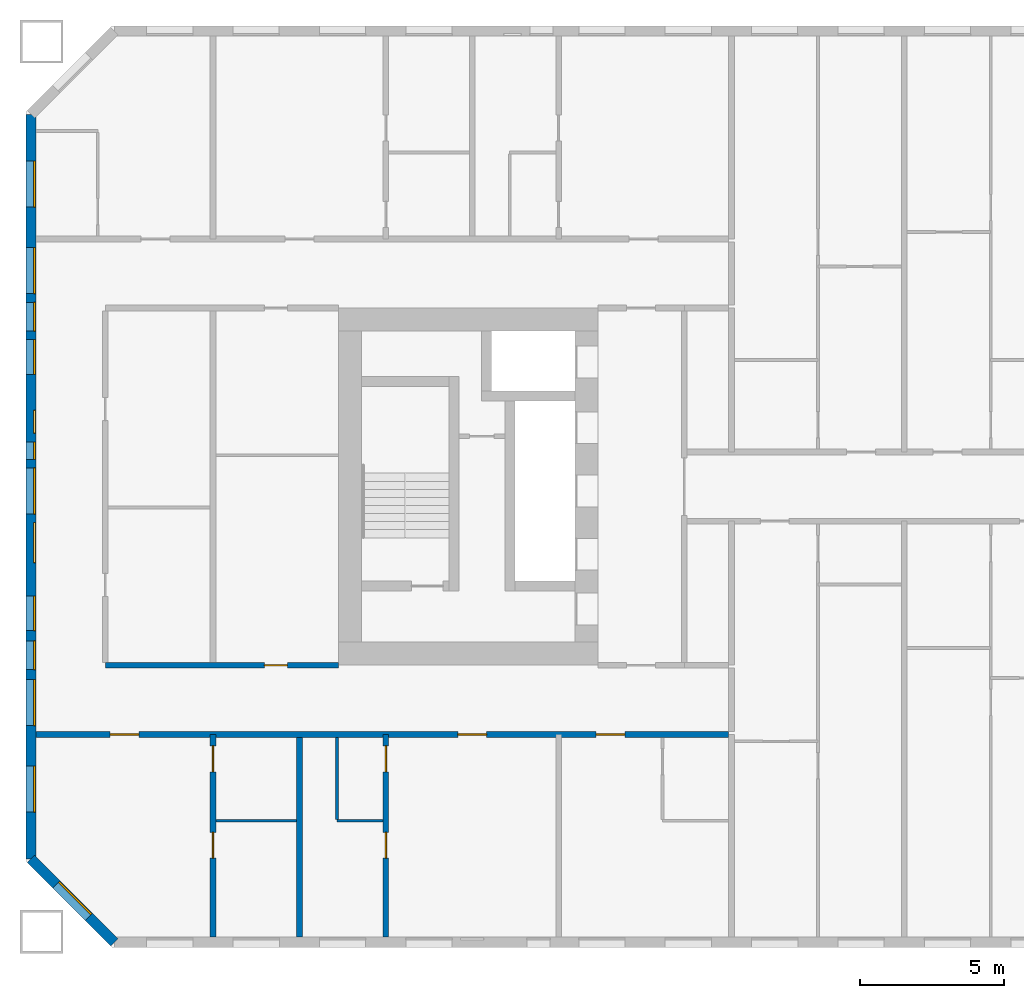
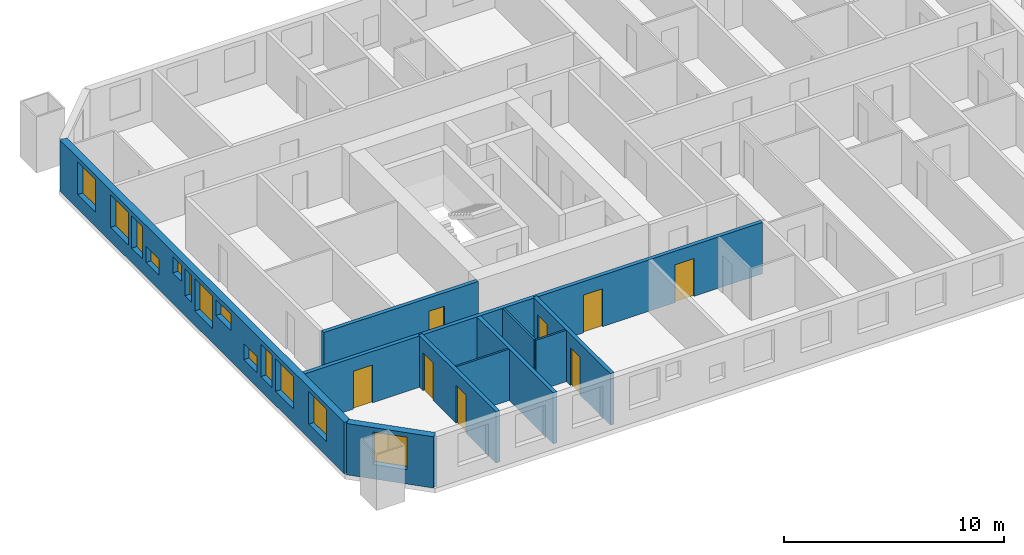
# One storey, part 2 of 17: 13 windows, 10 walls, 8 doors, 21 openings.
"""IFC4 building model written with IfcOpenShell, lengths in metres."""

import ifcopenshell
import ifcopenshell.guid

model = None  # the IFC model being written
_history = None  # IfcOwnerHistory: only IFC2X3 demands one
_inside = {}  # id of a spatial element -> (the spatial element, [elements in it])
_under = {}  # id of a project, library or spatial element -> (it, [spatial elements below it])
_declared = {}  # id of a project -> (the project, [libraries it declares])
_typed = {}  # id of a type object -> (the type object, [elements of that type])
_made_of = {}  # id of a material, layer set ... -> (it, [elements and type objects made of it])


def new_model(schema):
    """Start an empty IFC model of exactly this schema.

    Asked for "IFC4X3", IfcOpenShell would pick the latest addendum, in which some entities
    have other attributes; the version numbers below select the first issue.
    IFC2X3 requires an IfcOwnerHistory on every rooted entity: one is made here for all.
    """
    global model, _history
    if schema == "IFC4X3":
        model = ifcopenshell.file(schema_version=(4, 3, 0, 0))
    else:
        model = ifcopenshell.file(schema=schema)
    _inside.clear()
    _under.clear()
    _declared.clear()
    _typed.clear()
    _made_of.clear()
    _history = None
    if model.schema == "IFC2X3":
        org = make("IfcOrganization", Name="unknown")
        user = make(
            "IfcPersonAndOrganization",
            ThePerson=make("IfcPerson", FamilyName="unknown"),
            TheOrganization=org,
        )
        app = make(
            "IfcApplication",
            ApplicationDeveloper=org,
            Version="unknown",
            ApplicationFullName="unknown",
            ApplicationIdentifier="unknown",
        )
        _history = make(
            "IfcOwnerHistory",
            OwningUser=user,
            OwningApplication=app,
            ChangeAction="ADDED",
            CreationDate=0,
        )
    return model


def make(cls, **values):
    """One entity of the class cls with the attributes given. An attribute that is None is left unset."""
    return model.create_entity(
        cls, **{name: value for name, value in values.items() if value is not None}
    )


def rooted(cls, **values):
    """An entity with a GlobalId (a new one), such as an element, a storey or a relation."""
    return make(cls, GlobalId=ifcopenshell.guid.new(), OwnerHistory=_history, **values)


def si_unit(unit_type, name, prefix=None):
    """IfcSIUnit, for example si_unit("LENGTHUNIT", "METRE", prefix="MILLI")."""
    return make("IfcSIUnit", UnitType=unit_type, Prefix=prefix, Name=name)


def assignment(units):
    """IfcUnitAssignment: the units of a project."""
    return None if units is None else make("IfcUnitAssignment", Units=units)


def point(xyz):
    """IfcCartesianPoint."""
    return None if xyz is None else make("IfcCartesianPoint", Coordinates=xyz)


def direction(xyz):
    """IfcDirection."""
    return None if xyz is None else make("IfcDirection", DirectionRatios=xyz)


def frame(location, z_axis=None, x_axis=None):
    """IfcAxis2Placement3D, a coordinate frame: its origin and axes. An axis left out is left unset."""
    return make(
        "IfcAxis2Placement3D",
        Location=point(location),
        Axis=direction(z_axis),
        RefDirection=direction(x_axis),
    )


def frame_2d(location, x_axis=None):
    """IfcAxis2Placement2D, a coordinate frame in the plane: its origin and x axis."""
    return make(
        "IfcAxis2Placement2D", Location=point(location), RefDirection=direction(x_axis)
    )


def origin():
    """The frame at (0, 0, 0) with its axes left unset."""
    return frame((0.0, 0.0, 0.0))


def place(relative_to, where):
    """IfcLocalPlacement: puts the frame where relative to a parent placement (None: the world)."""
    return make(
        "IfcLocalPlacement", PlacementRelTo=relative_to, RelativePlacement=where
    )


def context(
    kind, dimensions, precision=None, world=None, true_north=None, identifier=None
):
    """IfcGeometricRepresentationContext, for example the 3D "Model" context."""
    return make(
        "IfcGeometricRepresentationContext",
        ContextIdentifier=identifier,
        ContextType=kind,
        CoordinateSpaceDimension=dimensions,
        Precision=precision,
        WorldCoordinateSystem=world,
        TrueNorth=true_north,
    )


def subcontext(parent, identifier, kind, view, scale=None):
    """IfcGeometricRepresentationSubContext, for example "Body" below "Model"."""
    return make(
        "IfcGeometricRepresentationSubContext",
        ContextIdentifier=identifier,
        ContextType=kind,
        ParentContext=parent,
        TargetScale=scale,
        TargetView=view,
    )


def project(units=None, contexts=None):
    """IfcProject with its units and contexts."""
    return rooted(
        "IfcProject",
        Name="project",
        RepresentationContexts=contexts,
        UnitsInContext=assignment(units),
    )


def spatial(cls, under=None, at=None, **own):
    """A site, building, storey or space (cls), placed at a placement, below another one or the project."""
    s = rooted(cls, ObjectPlacement=at, **own)
    if under is not None:
        _under.setdefault(under.id(), (under, []))[1].append(s)
    return s


def profile(cls, at=None, kind="AREA", **sizes):
    """A parametric profile (cls). Its sizes go by their IFC names, for example OverallWidth=200.0."""
    return make(cls, ProfileType=kind, Position=at, **sizes)


def rectangle(**sizes):
    """IfcRectangleProfileDef."""
    return profile("IfcRectangleProfileDef", **sizes)


def extrude(swept, where, along, depth):
    """IfcExtrudedAreaSolid: the profile swept, set in the frame where, extruded along a direction by depth."""
    return make(
        "IfcExtrudedAreaSolid",
        SweptArea=swept,
        Position=where,
        ExtrudedDirection=direction(along),
        Depth=depth,
    )


def shape(context_of_items, identifier, shape_type, items):
    """IfcShapeRepresentation: the items that make up one representation, for example the "Body"."""
    return make(
        "IfcShapeRepresentation",
        ContextOfItems=context_of_items,
        RepresentationIdentifier=identifier,
        RepresentationType=shape_type,
        Items=items,
    )


def material(Name=None, Category=None):
    """IfcMaterial."""
    return make("IfcMaterial", Name=Name, Category=Category)


def layer(
    of_material, thickness, ventilated=None, Name=None, Category=None, Priority=None
):
    """IfcMaterialLayer: one layer of a wall or slab, of a material (None: an air gap)."""
    return make(
        "IfcMaterialLayer",
        Material=of_material,
        LayerThickness=thickness,
        IsVentilated=ventilated,
        Name=Name,
        Category=Category,
        Priority=Priority,
    )


def layer_set(layers, Name=None):
    """IfcMaterialLayerSet."""
    return make("IfcMaterialLayerSet", MaterialLayers=layers, LayerSetName=Name)


def made_of(thing, what):
    """Note that an element or type object is made of a material, layer set ...; save() writes the relation."""
    if what is not None:
        _made_of.setdefault(what.id(), (what, []))[1].append(thing)
    return thing


def type_object(cls, material=None, **own):
    """A type object (cls), such as IfcWallType, which elements share."""
    return made_of(rooted(cls, **own), material)


def element(
    cls,
    number,
    at=None,
    inside=None,
    cuts=None,
    type_object=None,
    material=None,
    context=None,
    identifier="Body",
    shape_type=None,
    held_by="IfcProductDefinitionShape",
    body=None,
    shapes=None,
    **own,
):
    """One element of the class cls, such as IfcWall. Its Tag is "e" and its number.

    at: its placement. inside: the storey or other place that contains it. cuts: it is an
    opening in that element (IfcRelVoidsElement). A single representation is given by context,
    identifier, shape_type and body (its items); several are given by shapes. held_by: the class
    of the entity that holds the representations. save() writes the other relations.
    """
    e = rooted(cls, Tag="e%d" % number, ObjectPlacement=at, **own)
    if body is not None:
        shapes = [shape(context, identifier, shape_type, body)]
    if shapes is not None:
        e.Representation = make(held_by, Representations=shapes)
    if inside is not None:
        _inside.setdefault(inside.id(), (inside, []))[1].append(e)
    if cuts is not None:
        rooted(
            "IfcRelVoidsElement", RelatingBuildingElement=cuts, RelatedOpeningElement=e
        )
    if type_object is not None:
        _typed.setdefault(type_object.id(), (type_object, []))[1].append(e)
    return made_of(e, material)


def fill(opening, filler):
    """IfcRelFillsElement: the door or window that sits in an opening."""
    return rooted(
        "IfcRelFillsElement",
        RelatingOpeningElement=opening,
        RelatedBuildingElement=filler,
    )


def aggregate(whole, parts):
    """IfcRelAggregates: a whole, such as a stair, and the parts it consists of."""
    return rooted("IfcRelAggregates", RelatingObject=whole, RelatedObjects=parts)


def save(model, path):
    """Write the relations noted so far, then the file.

    IfcRelAggregates (storeys below a building ...), IfcRelContainedInSpatialStructure (elements
    in a storey), IfcRelDefinesByType, IfcRelAssociatesMaterial and IfcRelDeclares: one each for
    every whole, place, type object, material and project.
    """
    for whole, parts in _under.values():
        aggregate(whole, parts)
    for where, things in _inside.values():
        rooted(
            "IfcRelContainedInSpatialStructure",
            RelatedElements=things,
            RelatingStructure=where,
        )
    for kind, things in _typed.values():
        rooted("IfcRelDefinesByType", RelatedObjects=things, RelatingType=kind)
    for what, things in _made_of.values():
        rooted("IfcRelAssociatesMaterial", RelatedObjects=things, RelatingMaterial=what)
    for by, libraries in _declared.values():
        rooted("IfcRelDeclares", RelatingContext=by, RelatedDefinitions=libraries)
    model.write(path)


model = new_model("IFC4")

# Units and contexts
model_context = context("Model", 3, precision=1e-05, world=origin(), true_north=direction((0.0, 1.0)))
body_context = subcontext(model_context, "Body", "Model", "MODEL_VIEW")
ifc_project = project(units=[si_unit("LENGTHUNIT", "METRE"), si_unit("AREAUNIT", "SQUARE_METRE"), si_unit("VOLUMEUNIT", "CUBIC_METRE"), si_unit("PLANEANGLEUNIT", "RADIAN"), si_unit("MASSUNIT", "GRAM", prefix="KILO")], contexts=[model_context])

# Site, building, storey
site_placement = place(None, origin())
site = spatial("IfcSite", under=ifc_project, at=site_placement, CompositionType="ELEMENT")
building_placement = place(site_placement, origin())
building = spatial("IfcBuilding", under=site, at=building_placement, Name="Tuart Gate Housing", CompositionType="ELEMENT")
storey_placement = place(building_placement, frame((0.0, 0.0, 53.60009765625)))
storey = spatial("IfcBuildingStorey", under=building, at=storey_placement, Name="L14", CompositionType="ELEMENT", Elevation=53.60009765625)

# Wall, opening, window
ifc_material_1 = material(Name="Brick", Category="masonry")
ifc_layer_1 = layer(ifc_material_1, 0.360107421875)
ifc_layer_set_1 = layer_set([ifc_layer_1], Name="Brick pier and spandrel wall 360")
wall_type_1 = type_object("IfcWallType", Name="Brick pier and spandrel wall 360", PredefinedType="STANDARD", material=ifc_layer_set_1)
wall_1_placement = place(storey_placement, frame((21.679931640625, 57.07470703125, 0.0), z_axis=(0.0, 0.0, 1.0), x_axis=(0.707106781187, -0.707106781187, 0.0)))
wall_1 = element("IfcWall", 1, at=wall_1_placement, inside=storey, type_object=wall_type_1, Name="External wall A-SW L14", PredefinedType="STANDARD", context=body_context, shape_type="SweptSolid", body=[
    extrude(rectangle(XDim=4.09375, YDim=0.360107421875, at=frame_2d((2.046875, 0.0))), origin(), (0.0, 0.0, 1.0), 2.849853515625),
])
opening_1_placement = place(wall_1_placement, frame((1.2470703125, 0.0, 0.800048828125)))
opening_1 = element("IfcOpeningElement", 2, at=opening_1_placement, cuts=wall_1, Name="Opening W1", PredefinedType="OPENING", context=body_context, shape_type="SweptSolid", body=[
    extrude(rectangle(XDim=1.60009765625, YDim=1.800048828125, at=frame_2d((0.800048828125, 0.89990234375))), frame((0.0, 0.18994140625, 0.0), z_axis=(0.0, -1.0, 0.0), x_axis=(1.0, 0.0, 0.0)), (0.0, 0.0, 1.0), 0.380126953125),
])
ifc_material_2 = material(Name="Aluminium frame with clear glass", Category="aluminium")
window_type_1 = type_object("IfcWindowType", Name="Punched window 1600 x 1800", PartitioningType="SINGLE_PANEL", PredefinedType="WINDOW", material=ifc_material_2)
window_1_placement = place(opening_1_placement, origin())
window_1 = element("IfcWindow", 3, at=window_1_placement, inside=storey, type_object=window_type_1, Name="Window W1", OverallHeight=1.800048828125, OverallWidth=1.60009765625, PartitioningType="SINGLE_PANEL", PredefinedType="WINDOW", context=body_context, shape_type="SweptSolid", body=[
    extrude(rectangle(XDim=1.60009765625, YDim=1.800048828125, at=frame_2d((0.800048828125, 0.89990234375))), frame((0.0, 0.150146484375, 0.0), z_axis=(0.0, -1.0, 0.0), x_axis=(1.0, 0.0, 0.0)), (0.0, 0.0, 1.0), 0.06005859375),
])
fill(opening_1, window_1)

# Wall, openings, windows
wall_2_placement = place(storey_placement, frame((21.679931640625, 82.92529296875, 0.0), z_axis=(0.0, 0.0, 1.0), x_axis=(0.0, -1.0, 0.0)))
wall_2 = element("IfcWall", 4, at=wall_2_placement, inside=storey, type_object=wall_type_1, Name="External wall A-W L14", PredefinedType="STANDARD", context=body_context, shape_type="SweptSolid", body=[
    extrude(rectangle(XDim=25.850830078125, YDim=0.360107421875, at=frame_2d((12.92529296875, 0.0))), origin(), (0.0, 0.0, 1.0), 2.849853515625),
])
opening_2_placement = place(wall_2_placement, frame((1.62548828125, 0.0, 0.800048828125)))
opening_2 = element("IfcOpeningElement", 5, at=opening_2_placement, cuts=wall_2, Name="Opening W1", PredefinedType="OPENING", context=body_context, shape_type="SweptSolid", body=[
    extrude(rectangle(XDim=1.60009765625, YDim=1.800048828125, at=frame_2d((0.800048828125, 0.89990234375))), frame((0.0, 0.18994140625, 0.0), z_axis=(0.0, -1.0, 0.0), x_axis=(1.0, 0.0, 0.0)), (0.0, 0.0, 1.0), 0.380126953125),
])
opening_3_placement = place(wall_2_placement, frame((4.62548828125, 0.0, 0.800048828125)))
opening_3 = element("IfcOpeningElement", 6, at=opening_3_placement, cuts=wall_2, Name="Opening W1", PredefinedType="OPENING", context=body_context, shape_type="SweptSolid", body=[
    extrude(rectangle(XDim=1.60009765625, YDim=1.800048828125, at=frame_2d((0.800048828125, 0.89990234375))), frame((0.0, 0.18994140625, 0.0), z_axis=(0.0, -1.0, 0.0), x_axis=(1.0, 0.0, 0.0)), (0.0, 0.0, 1.0), 0.380126953125),
])
opening_4_placement = place(wall_2_placement, frame((6.525390625, 0.0, 0.800048828125)))
opening_4 = element("IfcOpeningElement", 7, at=opening_4_placement, cuts=wall_2, Name="Opening W1C", PredefinedType="OPENING", context=body_context, shape_type="SweptSolid", body=[
    extrude(rectangle(XDim=1.0, YDim=1.800048828125, at=frame_2d((0.5, 0.89990234375))), frame((0.0, 0.18994140625, 0.0), z_axis=(0.0, -1.0, 0.0), x_axis=(1.0, 0.0, 0.0)), (0.0, 0.0, 1.0), 0.380126953125),
])
opening_5_placement = place(wall_2_placement, frame((7.825439453125, 0.0, 0.800048828125)))
opening_5 = element("IfcOpeningElement", 8, at=opening_5_placement, cuts=wall_2, Name="Opening W1T", PredefinedType="OPENING", context=body_context, shape_type="SweptSolid", body=[
    extrude(rectangle(XDim=1.199951171875, YDim=0.89990234375, at=frame_2d((0.60009765625, 0.449951171875))), frame((0.0, 0.18994140625, 0.0), z_axis=(0.0, -1.0, 0.0), x_axis=(1.0, 0.0, 0.0)), (0.0, 0.0, 1.0), 0.380126953125),
])
opening_6_placement = place(wall_2_placement, frame((10.275390625, 0.0, 1.699951171875)))
opening_6 = element("IfcOpeningElement", 9, at=opening_6_placement, cuts=wall_2, Name="Opening W1V", PredefinedType="OPENING", context=body_context, shape_type="SweptSolid", body=[
    extrude(rectangle(XDim=0.800048828125, YDim=0.89990234375, at=frame_2d((0.39990234375, 0.449951171875))), frame((0.0, 0.18994140625, 0.0), z_axis=(0.0, -1.0, 0.0), x_axis=(1.0, 0.0, 0.0)), (0.0, 0.0, 1.0), 0.380126953125),
])
opening_7_placement = place(wall_2_placement, frame((11.37548828125, 0.0, 1.10009765625)))
opening_7 = element("IfcOpeningElement", 10, at=opening_7_placement, cuts=wall_2, Name="Opening W1K", PredefinedType="OPENING", context=body_context, shape_type="SweptSolid", body=[
    extrude(rectangle(XDim=0.60009765625, YDim=1.5, at=frame_2d((0.300048828125, 0.75))), frame((0.0, 0.18994140625, 0.0), z_axis=(0.0, -1.0, 0.0), x_axis=(1.0, 0.0, 0.0)), (0.0, 0.0, 1.0), 0.380126953125),
])
opening_8_placement = place(wall_2_placement, frame((19.62548828125, 0.0, 0.800048828125)))
opening_8 = element("IfcOpeningElement", 11, at=opening_8_placement, cuts=wall_2, Name="Opening W1", PredefinedType="OPENING", context=body_context, shape_type="SweptSolid", body=[
    extrude(rectangle(XDim=1.60009765625, YDim=1.800048828125, at=frame_2d((0.800048828125, 0.89990234375))), frame((0.0, 0.18994140625, 0.0), z_axis=(0.0, -1.0, 0.0), x_axis=(1.0, 0.0, 0.0)), (0.0, 0.0, 1.0), 0.380126953125),
])
opening_9_placement = place(wall_2_placement, frame((22.62548828125, 0.0, 0.800048828125)))
opening_9 = element("IfcOpeningElement", 12, at=opening_9_placement, cuts=wall_2, Name="Opening W1", PredefinedType="OPENING", context=body_context, shape_type="SweptSolid", body=[
    extrude(rectangle(XDim=1.60009765625, YDim=1.800048828125, at=frame_2d((0.800048828125, 0.89990234375))), frame((0.0, 0.18994140625, 0.0), z_axis=(0.0, -1.0, 0.0), x_axis=(1.0, 0.0, 0.0)), (0.0, 0.0, 1.0), 0.380126953125),
])
opening_10_placement = place(wall_2_placement, frame((12.275390625, 0.0, 0.800048828125)))
opening_10 = element("IfcOpeningElement", 13, at=opening_10_placement, cuts=wall_2, Name="Opening W1", PredefinedType="OPENING", context=body_context, shape_type="SweptSolid", body=[
    extrude(rectangle(XDim=1.60009765625, YDim=1.800048828125, at=frame_2d((0.800048828125, 0.89990234375))), frame((0.0, 0.18994140625, 0.0), z_axis=(0.0, -1.0, 0.0), x_axis=(1.0, 0.0, 0.0)), (0.0, 0.0, 1.0), 0.380126953125),
])
opening_11_placement = place(wall_2_placement, frame((14.17529296875, 0.0, 1.699951171875)))
opening_11 = element("IfcOpeningElement", 14, at=opening_11_placement, cuts=wall_2, Name="Opening W1S", PredefinedType="OPENING", context=body_context, shape_type="SweptSolid", body=[
    extrude(rectangle(XDim=1.39990234375, YDim=0.89990234375, at=frame_2d((0.699951171875, 0.449951171875))), frame((0.0, 0.18994140625, 0.0), z_axis=(0.0, -1.0, 0.0), x_axis=(1.0, 0.0, 0.0)), (0.0, 0.0, 1.0), 0.380126953125),
])
opening_12_placement = place(wall_2_placement, frame((16.725341796875, 0.0, 0.800048828125)))
opening_12 = element("IfcOpeningElement", 15, at=opening_12_placement, cuts=wall_2, Name="Opening W1T", PredefinedType="OPENING", context=body_context, shape_type="SweptSolid", body=[
    extrude(rectangle(XDim=1.199951171875, YDim=0.89990234375, at=frame_2d((0.60009765625, 0.449951171875))), frame((0.0, 0.18994140625, 0.0), z_axis=(0.0, -1.0, 0.0), x_axis=(1.0, 0.0, 0.0)), (0.0, 0.0, 1.0), 0.380126953125),
])
opening_13_placement = place(wall_2_placement, frame((18.275390625, 0.0, 0.800048828125)))
opening_13 = element("IfcOpeningElement", 16, at=opening_13_placement, cuts=wall_2, Name="Opening W1C", PredefinedType="OPENING", context=body_context, shape_type="SweptSolid", body=[
    extrude(rectangle(XDim=1.0, YDim=1.800048828125, at=frame_2d((0.5, 0.89990234375))), frame((0.0, 0.18994140625, 0.0), z_axis=(0.0, -1.0, 0.0), x_axis=(1.0, 0.0, 0.0)), (0.0, 0.0, 1.0), 0.380126953125),
])
ifc_material_3 = material(Name="Aluminium frame with clear glass", Category="aluminium")
window_type_2 = type_object("IfcWindowType", Name="Punched window 1000 x 1800", PartitioningType="SINGLE_PANEL", PredefinedType="WINDOW", material=ifc_material_3)
window_2_placement = place(opening_4_placement, origin())
window_2 = element("IfcWindow", 17, at=window_2_placement, inside=storey, type_object=window_type_2, Name="Window W1C", OverallHeight=1.800048828125, OverallWidth=1.0, PartitioningType="SINGLE_PANEL", PredefinedType="WINDOW", context=body_context, shape_type="SweptSolid", body=[
    extrude(rectangle(XDim=1.0, YDim=1.800048828125, at=frame_2d((0.5, 0.89990234375))), frame((0.0, 0.150146484375, 0.0), z_axis=(0.0, -1.0, 0.0), x_axis=(1.0, 0.0, 0.0)), (0.0, 0.0, 1.0), 0.06005859375),
])
fill(opening_4, window_2)
window_3_placement = place(opening_13_placement, origin())
window_3 = element("IfcWindow", 18, at=window_3_placement, inside=storey, type_object=window_type_2, Name="Window W1C", OverallHeight=1.800048828125, OverallWidth=1.0, PartitioningType="SINGLE_PANEL", PredefinedType="WINDOW", context=body_context, shape_type="SweptSolid", body=[
    extrude(rectangle(XDim=1.0, YDim=1.800048828125, at=frame_2d((0.5, 0.89990234375))), frame((0.0, 0.150146484375, 0.0), z_axis=(0.0, -1.0, 0.0), x_axis=(1.0, 0.0, 0.0)), (0.0, 0.0, 1.0), 0.06005859375),
])
fill(opening_13, window_3)
ifc_material_4 = material(Name="Aluminium frame with clear glass", Category="aluminium")
window_type_3 = type_object("IfcWindowType", Name="Punched window 1200 x 900", PartitioningType="SINGLE_PANEL", PredefinedType="WINDOW", material=ifc_material_4)
window_4_placement = place(opening_5_placement, origin())
window_4 = element("IfcWindow", 19, at=window_4_placement, inside=storey, type_object=window_type_3, Name="Window W1T", OverallHeight=0.89990234375, OverallWidth=1.199951171875, PartitioningType="SINGLE_PANEL", PredefinedType="WINDOW", context=body_context, shape_type="SweptSolid", body=[
    extrude(rectangle(XDim=1.199951171875, YDim=0.89990234375, at=frame_2d((0.60009765625, 0.449951171875))), frame((0.0, 0.150146484375, 0.0), z_axis=(0.0, -1.0, 0.0), x_axis=(1.0, 0.0, 0.0)), (0.0, 0.0, 1.0), 0.06005859375),
])
fill(opening_5, window_4)
window_5_placement = place(opening_12_placement, origin())
window_5 = element("IfcWindow", 20, at=window_5_placement, inside=storey, type_object=window_type_3, Name="Window W1T", OverallHeight=0.89990234375, OverallWidth=1.199951171875, PartitioningType="SINGLE_PANEL", PredefinedType="WINDOW", context=body_context, shape_type="SweptSolid", body=[
    extrude(rectangle(XDim=1.199951171875, YDim=0.89990234375, at=frame_2d((0.60009765625, 0.449951171875))), frame((0.0, 0.150146484375, 0.0), z_axis=(0.0, -1.0, 0.0), x_axis=(1.0, 0.0, 0.0)), (0.0, 0.0, 1.0), 0.06005859375),
])
fill(opening_12, window_5)
ifc_material_5 = material(Name="Aluminium frame with clear glass", Category="aluminium")
window_type_4 = type_object("IfcWindowType", Name="Punched window 1400 x 900", PartitioningType="SINGLE_PANEL", PredefinedType="WINDOW", material=ifc_material_5)
window_6_placement = place(opening_11_placement, origin())
window_6 = element("IfcWindow", 21, at=window_6_placement, inside=storey, type_object=window_type_4, Name="Window W1S", OverallHeight=0.89990234375, OverallWidth=1.39990234375, PartitioningType="SINGLE_PANEL", PredefinedType="WINDOW", context=body_context, shape_type="SweptSolid", body=[
    extrude(rectangle(XDim=1.39990234375, YDim=0.89990234375, at=frame_2d((0.699951171875, 0.449951171875))), frame((0.0, 0.150146484375, 0.0), z_axis=(0.0, -1.0, 0.0), x_axis=(1.0, 0.0, 0.0)), (0.0, 0.0, 1.0), 0.06005859375),
])
fill(opening_11, window_6)
window_7_placement = place(opening_2_placement, origin())
window_7 = element("IfcWindow", 22, at=window_7_placement, inside=storey, type_object=window_type_1, Name="Window W1", OverallHeight=1.800048828125, OverallWidth=1.60009765625, PartitioningType="SINGLE_PANEL", PredefinedType="WINDOW", context=body_context, shape_type="SweptSolid", body=[
    extrude(rectangle(XDim=1.60009765625, YDim=1.800048828125, at=frame_2d((0.800048828125, 0.89990234375))), frame((0.0, 0.150146484375, 0.0), z_axis=(0.0, -1.0, 0.0), x_axis=(1.0, 0.0, 0.0)), (0.0, 0.0, 1.0), 0.06005859375),
])
fill(opening_2, window_7)
window_8_placement = place(opening_3_placement, origin())
window_8 = element("IfcWindow", 23, at=window_8_placement, inside=storey, type_object=window_type_1, Name="Window W1", OverallHeight=1.800048828125, OverallWidth=1.60009765625, PartitioningType="SINGLE_PANEL", PredefinedType="WINDOW", context=body_context, shape_type="SweptSolid", body=[
    extrude(rectangle(XDim=1.60009765625, YDim=1.800048828125, at=frame_2d((0.800048828125, 0.89990234375))), frame((0.0, 0.150146484375, 0.0), z_axis=(0.0, -1.0, 0.0), x_axis=(1.0, 0.0, 0.0)), (0.0, 0.0, 1.0), 0.06005859375),
])
fill(opening_3, window_8)
window_9_placement = place(opening_8_placement, origin())
window_9 = element("IfcWindow", 24, at=window_9_placement, inside=storey, type_object=window_type_1, Name="Window W1", OverallHeight=1.800048828125, OverallWidth=1.60009765625, PartitioningType="SINGLE_PANEL", PredefinedType="WINDOW", context=body_context, shape_type="SweptSolid", body=[
    extrude(rectangle(XDim=1.60009765625, YDim=1.800048828125, at=frame_2d((0.800048828125, 0.89990234375))), frame((0.0, 0.150146484375, 0.0), z_axis=(0.0, -1.0, 0.0), x_axis=(1.0, 0.0, 0.0)), (0.0, 0.0, 1.0), 0.06005859375),
])
fill(opening_8, window_9)
window_10_placement = place(opening_9_placement, origin())
window_10 = element("IfcWindow", 25, at=window_10_placement, inside=storey, type_object=window_type_1, Name="Window W1", OverallHeight=1.800048828125, OverallWidth=1.60009765625, PartitioningType="SINGLE_PANEL", PredefinedType="WINDOW", context=body_context, shape_type="SweptSolid", body=[
    extrude(rectangle(XDim=1.60009765625, YDim=1.800048828125, at=frame_2d((0.800048828125, 0.89990234375))), frame((0.0, 0.150146484375, 0.0), z_axis=(0.0, -1.0, 0.0), x_axis=(1.0, 0.0, 0.0)), (0.0, 0.0, 1.0), 0.06005859375),
])
fill(opening_9, window_10)
window_11_placement = place(opening_10_placement, origin())
window_11 = element("IfcWindow", 26, at=window_11_placement, inside=storey, type_object=window_type_1, Name="Window W1", OverallHeight=1.800048828125, OverallWidth=1.60009765625, PartitioningType="SINGLE_PANEL", PredefinedType="WINDOW", context=body_context, shape_type="SweptSolid", body=[
    extrude(rectangle(XDim=1.60009765625, YDim=1.800048828125, at=frame_2d((0.800048828125, 0.89990234375))), frame((0.0, 0.150146484375, 0.0), z_axis=(0.0, -1.0, 0.0), x_axis=(1.0, 0.0, 0.0)), (0.0, 0.0, 1.0), 0.06005859375),
])
fill(opening_10, window_11)
ifc_material_6 = material(Name="Aluminium frame with clear glass", Category="aluminium")
window_type_5 = type_object("IfcWindowType", Name="Punched window 600 x 1500", PartitioningType="SINGLE_PANEL", PredefinedType="WINDOW", material=ifc_material_6)
window_12_placement = place(opening_7_placement, origin())
window_12 = element("IfcWindow", 27, at=window_12_placement, inside=storey, type_object=window_type_5, Name="Window W1K", OverallHeight=1.5, OverallWidth=0.60009765625, PartitioningType="SINGLE_PANEL", PredefinedType="WINDOW", context=body_context, shape_type="SweptSolid", body=[
    extrude(rectangle(XDim=0.60009765625, YDim=1.5, at=frame_2d((0.300048828125, 0.75))), frame((0.0, 0.150146484375, 0.0), z_axis=(0.0, -1.0, 0.0), x_axis=(1.0, 0.0, 0.0)), (0.0, 0.0, 1.0), 0.06005859375),
])
fill(opening_7, window_12)
ifc_material_7 = material(Name="Aluminium frame with clear glass", Category="aluminium")
window_type_6 = type_object("IfcWindowType", Name="Punched window 800 x 900", PartitioningType="SINGLE_PANEL", PredefinedType="WINDOW", material=ifc_material_7)
window_13_placement = place(opening_6_placement, origin())
window_13 = element("IfcWindow", 28, at=window_13_placement, inside=storey, type_object=window_type_6, Name="Window W1V", OverallHeight=0.89990234375, OverallWidth=0.800048828125, PartitioningType="SINGLE_PANEL", PredefinedType="WINDOW", context=body_context, shape_type="SweptSolid", body=[
    extrude(rectangle(XDim=0.800048828125, YDim=0.89990234375, at=frame_2d((0.39990234375, 0.449951171875))), frame((0.0, 0.150146484375, 0.0), z_axis=(0.0, -1.0, 0.0), x_axis=(1.0, 0.0, 0.0)), (0.0, 0.0, 1.0), 0.06005859375),
])
fill(opening_6, window_13)

# Wall, openings, doors
ifc_material_8 = material(Name="Concrete masonry 15 MPa", Category="masonry")
ifc_layer_2 = layer(ifc_material_8, 0.199951171875)
ifc_layer_set_2 = layer_set([ifc_layer_2], Name="Corridor wall masonry 200")
wall_type_2 = type_object("IfcWallType", Name="Corridor wall masonry 200", PredefinedType="PARTITIONING", material=ifc_layer_set_2)
wall_3_placement = place(storey_placement, frame((21.860107421875, 61.39990234375, 0.0), z_axis=(0.0, 0.0, 1.0), x_axis=(1.0, 0.0, 0.0)))
wall_3 = element("IfcWall", 29, at=wall_3_placement, inside=storey, type_object=wall_type_2, Name="Corridor wall masonry 200", PredefinedType="PARTITIONING", context=body_context, shape_type="SweptSolid", body=[
    extrude(rectangle(XDim=24.039794921875, YDim=0.199951171875, at=frame_2d((12.02001953125, 0.0))), origin(), (0.0, 0.0, 1.0), 2.849853515625),
])
opening_14_placement = place(wall_3_placement, frame((19.43994140625, 0.0, 0.0)))
opening_14 = element("IfcOpeningElement", 30, at=opening_14_placement, cuts=wall_3, Name="Opening D764", PredefinedType="OPENING", context=body_context, shape_type="SweptSolid", body=[
    extrude(rectangle(XDim=1.0, YDim=2.10009765625, at=frame_2d((0.5, 1.050048828125))), frame((0.0, 0.10986328125, 0.0), z_axis=(0.0, -1.0, 0.0), x_axis=(1.0, 0.0, 0.0)), (0.0, 0.0, 1.0), 0.219970703125),
])
opening_15_placement = place(wall_3_placement, frame((14.639892578125, 0.0, 0.0)))
opening_15 = element("IfcOpeningElement", 31, at=opening_15_placement, cuts=wall_3, Name="Opening D765", PredefinedType="OPENING", context=body_context, shape_type="SweptSolid", body=[
    extrude(rectangle(XDim=1.0, YDim=2.10009765625, at=frame_2d((0.5, 1.050048828125))), frame((0.0, 0.10986328125, 0.0), z_axis=(0.0, -1.0, 0.0), x_axis=(1.0, 0.0, 0.0)), (0.0, 0.0, 1.0), 0.219970703125),
])
opening_16_placement = place(wall_3_placement, frame((2.570068359375, 0.0, 0.0)))
opening_16 = element("IfcOpeningElement", 32, at=opening_16_placement, cuts=wall_3, Name="Opening D766", PredefinedType="OPENING", context=body_context, shape_type="SweptSolid", body=[
    extrude(rectangle(XDim=1.0, YDim=2.10009765625, at=frame_2d((0.5, 1.050048828125))), frame((0.0, 0.10986328125, 0.0), z_axis=(0.0, -1.0, 0.0), x_axis=(1.0, 0.0, 0.0)), (0.0, 0.0, 1.0), 0.219970703125),
])
ifc_material_9 = material(Name="Timber door leaf in steel frame", Category="steel")
door_type_1 = type_object("IfcDoorType", Name="Flat entrance door 1000 RH", OperationType="SINGLE_SWING_RIGHT", PredefinedType="DOOR", material=ifc_material_9)
door_1_placement = place(opening_14_placement, frame((1.0, 0.0, 0.0), z_axis=(0.0, 0.0, 1.0), x_axis=(-1.0, 0.0, 0.0)))
door_1 = element("IfcDoor", 33, at=door_1_placement, inside=storey, type_object=door_type_1, Name="Flat entrance door", OperationType="SINGLE_SWING_RIGHT", OverallHeight=2.10009765625, OverallWidth=1.0, PredefinedType="DOOR", context=body_context, shape_type="SweptSolid", body=[
    extrude(rectangle(XDim=1.0, YDim=2.10009765625, at=frame_2d((0.5, 1.050048828125))), frame((0.0, 0.025146484375, 0.0), z_axis=(0.0, -1.0, 0.0), x_axis=(1.0, 0.0, 0.0)), (0.0, 0.0, 1.0), 0.050048828125),
])
fill(opening_14, door_1)
door_2_placement = place(opening_15_placement, frame((1.0, 0.0, 0.0), z_axis=(0.0, 0.0, 1.0), x_axis=(-1.0, 0.0, 0.0)))
door_2 = element("IfcDoor", 34, at=door_2_placement, inside=storey, type_object=door_type_1, Name="Flat entrance door", OperationType="SINGLE_SWING_RIGHT", OverallHeight=2.10009765625, OverallWidth=1.0, PredefinedType="DOOR", context=body_context, shape_type="SweptSolid", body=[
    extrude(rectangle(XDim=1.0, YDim=2.10009765625, at=frame_2d((0.5, 1.050048828125))), frame((0.0, 0.025146484375, 0.0), z_axis=(0.0, -1.0, 0.0), x_axis=(1.0, 0.0, 0.0)), (0.0, 0.0, 1.0), 0.050048828125),
])
fill(opening_15, door_2)
door_3_placement = place(opening_16_placement, frame((1.0, 0.0, 0.0), z_axis=(0.0, 0.0, 1.0), x_axis=(-1.0, 0.0, 0.0)))
door_3 = element("IfcDoor", 35, at=door_3_placement, inside=storey, type_object=door_type_1, Name="Flat entrance door", OperationType="SINGLE_SWING_RIGHT", OverallHeight=2.10009765625, OverallWidth=1.0, PredefinedType="DOOR", context=body_context, shape_type="SweptSolid", body=[
    extrude(rectangle(XDim=1.0, YDim=2.10009765625, at=frame_2d((0.5, 1.050048828125))), frame((0.0, 0.025146484375, 0.0), z_axis=(0.0, -1.0, 0.0), x_axis=(1.0, 0.0, 0.0)), (0.0, 0.0, 1.0), 0.050048828125),
])
fill(opening_16, door_3)

# Wall, opening, door
wall_4_placement = place(storey_placement, frame((24.260009765625, 63.800048828125, 0.0), z_axis=(0.0, 0.0, 1.0), x_axis=(1.0, 0.0, 0.0)))
wall_4 = element("IfcWall", 36, at=wall_4_placement, inside=storey, type_object=wall_type_2, Name="Corridor wall masonry 200", PredefinedType="PARTITIONING", context=body_context, shape_type="SweptSolid", body=[
    extrude(rectangle(XDim=8.10009765625, YDim=0.199951171875, at=frame_2d((4.050048828125, 0.0))), origin(), (0.0, 0.0, 1.0), 2.849853515625),
])
opening_17_placement = place(wall_4_placement, frame((5.52001953125, 0.0, 0.0)))
opening_17 = element("IfcOpeningElement", 37, at=opening_17_placement, cuts=wall_4, Name="Opening D754", PredefinedType="OPENING", context=body_context, shape_type="SweptSolid", body=[
    extrude(rectangle(XDim=0.800048828125, YDim=2.10009765625, at=frame_2d((0.39990234375, 1.050048828125))), frame((0.0, 0.10986328125, 0.0), z_axis=(0.0, -1.0, 0.0), x_axis=(1.0, 0.0, 0.0)), (0.0, 0.0, 1.0), 0.219970703125),
])
ifc_material_10 = material(Name="Timber door leaf in steel frame", Category="steel")
door_type_2 = type_object("IfcDoorType", Name="Store door 800", OperationType="SINGLE_SWING_LEFT", PredefinedType="DOOR", material=ifc_material_10)
door_4_placement = place(opening_17_placement, origin())
door_4 = element("IfcDoor", 38, at=door_4_placement, inside=storey, type_object=door_type_2, Name="Store door", OperationType="SINGLE_SWING_LEFT", OverallHeight=2.10009765625, OverallWidth=0.800048828125, PredefinedType="DOOR", context=body_context, shape_type="SweptSolid", body=[
    extrude(rectangle(XDim=0.800048828125, YDim=2.10009765625, at=frame_2d((0.39990234375, 1.050048828125))), frame((0.0, 0.02490234375, 0.0), z_axis=(0.0, -1.0, 0.0), x_axis=(1.0, 0.0, 0.0)), (0.0, 0.0, 1.0), 0.050048828125),
])
fill(opening_17, door_4)

# Walls
ifc_material_11 = material(Name="Gypsum board on steel studs", Category="steel")
ifc_layer_3 = layer(ifc_material_11, 0.10009765625)
ifc_layer_set_3 = layer_set([ifc_layer_3], Name="Partition 100")
wall_type_3 = type_object("IfcWallType", Name="Partition 100", PredefinedType="PARTITIONING", material=ifc_layer_set_3)
wall_5_placement = place(storey_placement, frame((28.10009765625, 58.39990234375, 0.0), z_axis=(0.0, 0.0, 1.0), x_axis=(1.0, 0.0, 0.0)))
element("IfcWall", 39, at=wall_5_placement, inside=storey, type_object=wall_type_3, Name="Partition 100", PredefinedType="PARTITIONING", context=body_context, shape_type="SweptSolid", body=[
    extrude(rectangle(XDim=2.7998046875, YDim=0.10009765625, at=frame_2d((1.39990234375, 0.0))), origin(), (0.0, 0.0, 1.0), 2.849853515625),
])
wall_6_placement = place(storey_placement, frame((32.300048828125, 58.39990234375, 0.0), z_axis=(0.0, 0.0, 1.0), x_axis=(1.0, 0.0, 0.0)))
element("IfcWall", 40, at=wall_6_placement, inside=storey, type_object=wall_type_3, Name="Partition 100", PredefinedType="PARTITIONING", context=body_context, shape_type="SweptSolid", body=[
    extrude(rectangle(XDim=1.599853515625, YDim=0.10009765625, at=frame_2d((0.7998046875, 0.0))), origin(), (0.0, 0.0, 1.0), 2.849853515625),
])
wall_7_placement = place(storey_placement, frame((32.300048828125, 58.449951171875, 0.0), z_axis=(0.0, 0.0, 1.0), x_axis=(0.0, 1.0, 0.0)))
element("IfcWall", 41, at=wall_7_placement, inside=storey, type_object=wall_type_3, Name="Partition 100", PredefinedType="PARTITIONING", context=body_context, shape_type="SweptSolid", body=[
    extrude(rectangle(XDim=2.85009765625, YDim=0.10009765625, at=frame_2d((1.425048828125, 0.0))), origin(), (0.0, 0.0, 1.0), 2.849853515625),
])

# Wall, openings, doors
ifc_material_12 = material(Name="Concrete C40", Category="concrete")
ifc_layer_4 = layer(ifc_material_12, 0.199951171875)
ifc_layer_set_4 = layer_set([ifc_layer_4], Name="Party wall concrete C40 200")
wall_type_4 = type_object("IfcWallType", Name="Party wall concrete C40 200", PredefinedType="SOLIDWALL", material=ifc_layer_set_4)
wall_8_placement = place(storey_placement, frame((28.0, 54.360107421875, 0.0), z_axis=(0.0, 0.0, 1.0), x_axis=(0.0, 1.0, 0.0)))
wall_8 = element("IfcWall", 42, at=wall_8_placement, inside=storey, type_object=wall_type_4, Name="Party wall concrete C40 200", PredefinedType="SOLIDWALL", context=body_context, shape_type="SweptSolid", body=[
    extrude(rectangle(XDim=7.039794921875, YDim=0.199951171875, at=frame_2d((3.52001953125, 0.0))), origin(), (0.0, 0.0, 1.0), 2.849853515625),
])
opening_18_placement = place(wall_8_placement, frame((2.739990234375, 0.0, 0.0)))
opening_18 = element("IfcOpeningElement", 43, at=opening_18_placement, cuts=wall_8, Name="Opening D775", PredefinedType="OPENING", context=body_context, shape_type="SweptSolid", body=[
    extrude(rectangle(XDim=0.89990234375, YDim=2.10009765625, at=frame_2d((0.449951171875, 1.050048828125))), frame((0.0, 0.10986328125, 0.0), z_axis=(0.0, -1.0, 0.0), x_axis=(1.0, 0.0, 0.0)), (0.0, 0.0, 1.0), 0.219970703125),
])
opening_19_placement = place(wall_8_placement, frame((5.739990234375, 0.0, 0.0)))
opening_19 = element("IfcOpeningElement", 44, at=opening_19_placement, cuts=wall_8, Name="Opening D774", PredefinedType="OPENING", context=body_context, shape_type="SweptSolid", body=[
    extrude(rectangle(XDim=0.89990234375, YDim=2.10009765625, at=frame_2d((0.449951171875, 1.050048828125))), frame((0.0, 0.10986328125, 0.0), z_axis=(0.0, -1.0, 0.0), x_axis=(1.0, 0.0, 0.0)), (0.0, 0.0, 1.0), 0.219970703125),
])
ifc_material_13 = material(Name="Timber door leaf in steel frame", Category="steel")
door_type_3 = type_object("IfcDoorType", Name="Bathroom door 900", OperationType="SINGLE_SWING_LEFT", PredefinedType="DOOR", material=ifc_material_13)
door_5_placement = place(opening_19_placement, frame((0.89990234375, 0.0, 0.0), z_axis=(0.0, 0.0, 1.0), x_axis=(-1.0, 0.0, 0.0)))
door_5 = element("IfcDoor", 45, at=door_5_placement, inside=storey, type_object=door_type_3, Name="Bathroom door", OperationType="SINGLE_SWING_LEFT", OverallHeight=2.10009765625, OverallWidth=0.89990234375, PredefinedType="DOOR", context=body_context, shape_type="SweptSolid", body=[
    extrude(rectangle(XDim=0.89990234375, YDim=2.10009765625, at=frame_2d((0.449951171875, 1.050048828125))), frame((0.0, 0.025146484375, 0.0), z_axis=(0.0, -1.0, 0.0), x_axis=(1.0, 0.0, 0.0)), (0.0, 0.0, 1.0), 0.050048828125),
])
fill(opening_19, door_5)
ifc_material_14 = material(Name="Timber door leaf in steel frame", Category="steel")
door_type_4 = type_object("IfcDoorType", Name="Internal door 900", OperationType="SINGLE_SWING_LEFT", PredefinedType="DOOR", material=ifc_material_14)
door_6_placement = place(opening_18_placement, frame((0.89990234375, 0.0, 0.0), z_axis=(0.0, 0.0, 1.0), x_axis=(-1.0, 0.0, 0.0)))
door_6 = element("IfcDoor", 46, at=door_6_placement, inside=storey, type_object=door_type_4, Name="Internal door", OperationType="SINGLE_SWING_LEFT", OverallHeight=2.10009765625, OverallWidth=0.89990234375, PredefinedType="DOOR", context=body_context, shape_type="SweptSolid", body=[
    extrude(rectangle(XDim=0.89990234375, YDim=2.10009765625, at=frame_2d((0.449951171875, 1.050048828125))), frame((0.0, 0.025146484375, 0.0), z_axis=(0.0, -1.0, 0.0), x_axis=(1.0, 0.0, 0.0)), (0.0, 0.0, 1.0), 0.050048828125),
])
fill(opening_18, door_6)

wall_9_placement = place(storey_placement, frame((34.0, 54.360107421875, 0.0), z_axis=(0.0, 0.0, 1.0), x_axis=(0.0, 1.0, 0.0)))
wall_9 = element("IfcWall", 47, at=wall_9_placement, inside=storey, type_object=wall_type_4, Name="Party wall concrete C40 200", PredefinedType="SOLIDWALL", context=body_context, shape_type="SweptSolid", body=[
    extrude(rectangle(XDim=7.039794921875, YDim=0.199951171875, at=frame_2d((3.52001953125, 0.0))), origin(), (0.0, 0.0, 1.0), 2.849853515625),
])
opening_20_placement = place(wall_9_placement, frame((2.739990234375, 0.0, 0.0)))
opening_20 = element("IfcOpeningElement", 48, at=opening_20_placement, cuts=wall_9, Name="Opening D777", PredefinedType="OPENING", context=body_context, shape_type="SweptSolid", body=[
    extrude(rectangle(XDim=0.89990234375, YDim=2.10009765625, at=frame_2d((0.449951171875, 1.050048828125))), frame((0.0, 0.10986328125, 0.0), z_axis=(0.0, -1.0, 0.0), x_axis=(1.0, 0.0, 0.0)), (0.0, 0.0, 1.0), 0.219970703125),
])
opening_21_placement = place(wall_9_placement, frame((5.739990234375, 0.0, 0.0)))
opening_21 = element("IfcOpeningElement", 49, at=opening_21_placement, cuts=wall_9, Name="Opening D776", PredefinedType="OPENING", context=body_context, shape_type="SweptSolid", body=[
    extrude(rectangle(XDim=0.89990234375, YDim=2.10009765625, at=frame_2d((0.449951171875, 1.050048828125))), frame((0.0, 0.10986328125, 0.0), z_axis=(0.0, -1.0, 0.0), x_axis=(1.0, 0.0, 0.0)), (0.0, 0.0, 1.0), 0.219970703125),
])
ifc_material_15 = material(Name="Timber door leaf in steel frame", Category="steel")
door_type_5 = type_object("IfcDoorType", Name="Bathroom door 900 RH", OperationType="SINGLE_SWING_RIGHT", PredefinedType="DOOR", material=ifc_material_15)
door_7_placement = place(opening_21_placement, origin())
door_7 = element("IfcDoor", 50, at=door_7_placement, inside=storey, type_object=door_type_5, Name="Bathroom door", OperationType="SINGLE_SWING_RIGHT", OverallHeight=2.10009765625, OverallWidth=0.89990234375, PredefinedType="DOOR", context=body_context, shape_type="SweptSolid", body=[
    extrude(rectangle(XDim=0.89990234375, YDim=2.10009765625, at=frame_2d((0.449951171875, 1.050048828125))), frame((0.0, 0.02490234375, 0.0), z_axis=(0.0, -1.0, 0.0), x_axis=(1.0, 0.0, 0.0)), (0.0, 0.0, 1.0), 0.050048828125),
])
fill(opening_21, door_7)
ifc_material_16 = material(Name="Timber door leaf in steel frame", Category="steel")
door_type_6 = type_object("IfcDoorType", Name="Internal door 900 RH", OperationType="SINGLE_SWING_RIGHT", PredefinedType="DOOR", material=ifc_material_16)
door_8_placement = place(opening_20_placement, origin())
door_8 = element("IfcDoor", 51, at=door_8_placement, inside=storey, type_object=door_type_6, Name="Internal door", OperationType="SINGLE_SWING_RIGHT", OverallHeight=2.10009765625, OverallWidth=0.89990234375, PredefinedType="DOOR", context=body_context, shape_type="SweptSolid", body=[
    extrude(rectangle(XDim=0.89990234375, YDim=2.10009765625, at=frame_2d((0.449951171875, 1.050048828125))), frame((0.0, 0.02490234375, 0.0), z_axis=(0.0, -1.0, 0.0), x_axis=(1.0, 0.0, 0.0)), (0.0, 0.0, 1.0), 0.050048828125),
])
fill(opening_20, door_8)

# Wall
ifc_material_17 = material(Name="Concrete masonry 15 MPa", Category="masonry")
ifc_layer_5 = layer(ifc_material_17, 0.199951171875)
ifc_layer_set_5 = layer_set([ifc_layer_5], Name="Party wall masonry 200")
wall_type_5 = type_object("IfcWallType", Name="Party wall masonry 200", PredefinedType="PARTITIONING", material=ifc_layer_set_5)
wall_10_placement = place(storey_placement, frame((31.0, 54.360107421875, 0.0), z_axis=(0.0, 0.0, 1.0), x_axis=(0.0, 1.0, 0.0)))
element("IfcWall", 52, at=wall_10_placement, inside=storey, type_object=wall_type_5, Name="Party wall masonry 200", PredefinedType="PARTITIONING", context=body_context, shape_type="SweptSolid", body=[
    extrude(rectangle(XDim=6.93994140625, YDim=0.199951171875, at=frame_2d((3.469970703125, 0.0))), origin(), (0.0, 0.0, 1.0), 2.849853515625),
])

save(model, "model.ifc")
